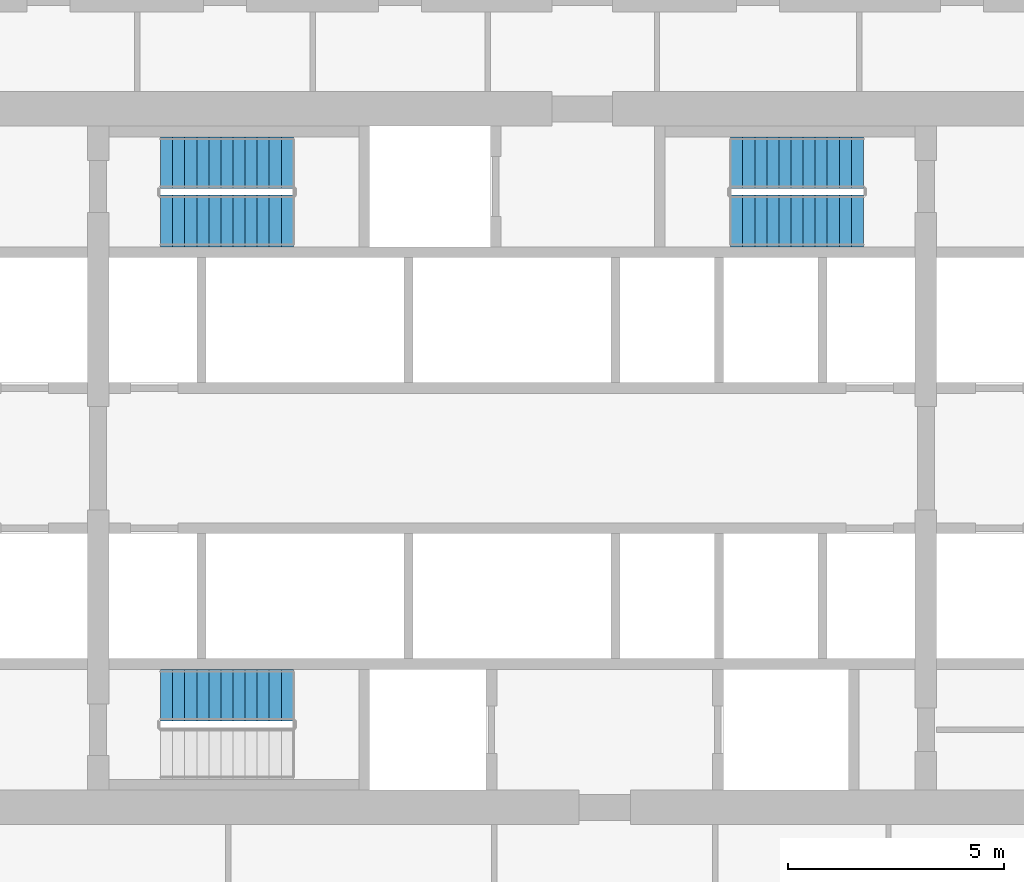
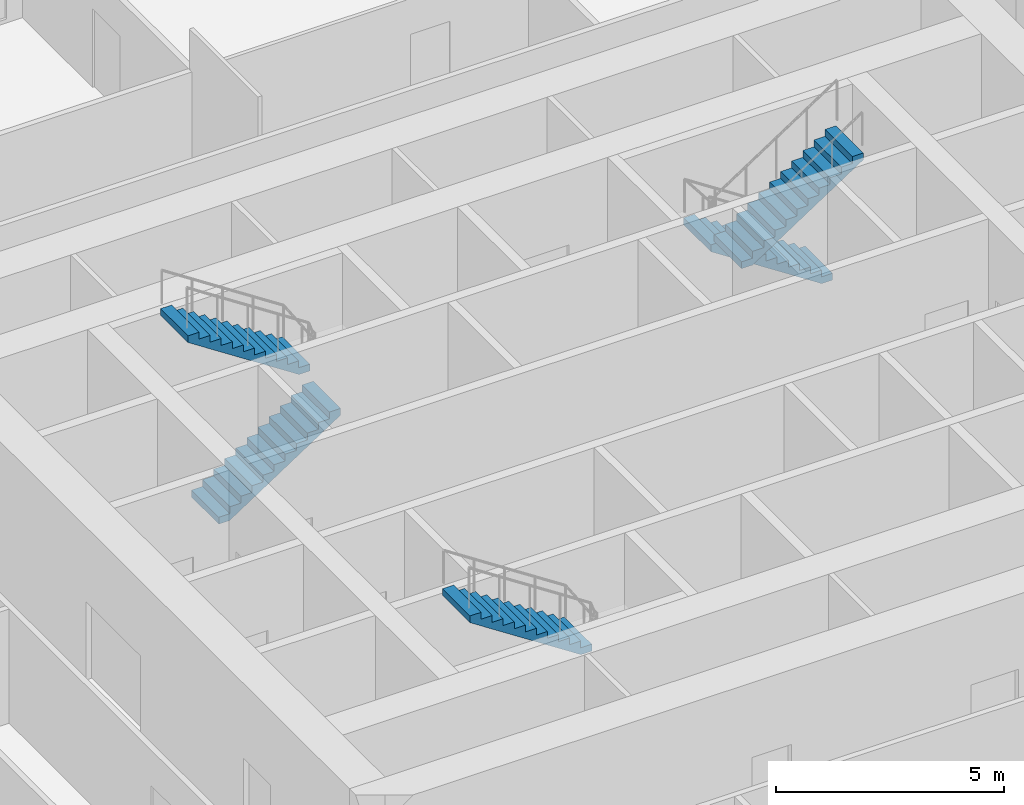
# One storey, part 9 of 13: 5 stair flights, 3 elements without a shape of their own.
"""IFC4 building model written with IfcOpenShell, lengths in metres."""

from ifc_helpers import new_model, si_unit, direction, frame, origin, place, context, subcontext, project, spatial, polyline, outline, extrude, material, layer, layer_set, type_object, element, aggregate, save


model = new_model("IFC4")

# Units and contexts
model_context = context("Model", 3, precision=1e-05, world=origin(), true_north=direction((0.0, 1.0)))
body_context = subcontext(model_context, "Body", "Model", "MODEL_VIEW")
ifc_project = project(units=[si_unit("LENGTHUNIT", "METRE"), si_unit("AREAUNIT", "SQUARE_METRE"), si_unit("VOLUMEUNIT", "CUBIC_METRE"), si_unit("PLANEANGLEUNIT", "RADIAN"), si_unit("MASSUNIT", "GRAM", prefix="KILO")], contexts=[model_context])

# Site, building, storey
site_placement = place(None, origin())
site = spatial("IfcSite", under=ifc_project, at=site_placement, CompositionType="ELEMENT")
building_placement = place(site_placement, origin())
building = spatial("IfcBuilding", under=site, at=building_placement, Name="Frailejon Research Tower", CompositionType="ELEMENT")
storey_placement = place(building_placement, frame((0.0, 0.0, 36.60009765625)))
storey = spatial("IfcBuildingStorey", under=building, at=storey_placement, Name="L08", CompositionType="ELEMENT", Elevation=36.60009765625)

# Stair, stair flights
ifc_material_1 = material(Name="Concrete C50/60", Category="concrete")
stair_type = type_object("IfcStairType", Name="Exit stair 24 risers", PredefinedType="HALF_TURN_STAIR", material=ifc_material_1)
stair_1_placement = place(storey_placement, origin())
stair_1 = element("IfcStair", 1, at=stair_1_placement, inside=storey, type_object=stair_type, Name="L08 Exit stair ST1", PredefinedType="HALF_TURN_STAIR")
ifc_material_2 = material(Name="Concrete C50/60", Category="concrete")
ifc_layer = layer(ifc_material_2, 0.14990234375)
ifc_layer_set = layer_set([ifc_layer], Name="Stair flight 12 risers")
stair_flight_type = type_object("IfcStairFlightType", Name="Stair flight 12 risers", PredefinedType="STRAIGHT", material=ifc_layer_set)
stair_flight_1_placement = place(storey_placement, frame((-8.14990234375, 5.5, 0.0), z_axis=(0.0, 0.0, 1.0), x_axis=(1.0, 0.0, 0.0)))
stair_flight_1 = element("IfcStairFlight", 2, at=stair_flight_1_placement, type_object=stair_flight_type, Name="ST1 flight 1", NumberOfRisers=12, NumberOfTreads=11, PredefinedType="STRAIGHT", RiserHeight=0.183333333, TreadLength=0.28, context=body_context, shape_type="SweptSolid", body=[
    extrude(outline(polyline([(0.0, 0.0), (0.0, 0.183349609375), (0.280029296875, 0.183349609375), (0.280029296875, 0.36669921875), (0.56005859375, 0.36669921875), (0.56005859375, 0.550048828125), (0.840087890625, 0.550048828125), (0.840087890625, 0.7333984375), (1.1201171875, 0.7333984375), (1.1201171875, 0.916748046875), (1.39990234375, 0.916748046875), (1.39990234375, 1.10009765625), (1.679931640625, 1.10009765625), (1.679931640625, 1.283447265625), (1.9599609375, 1.283447265625), (1.9599609375, 1.466552734375), (2.239990234375, 1.466552734375), (2.239990234375, 1.64990234375), (2.52001953125, 1.64990234375), (2.52001953125, 1.833251953125), (2.800048828125, 1.833251953125), (2.800048828125, 2.0166015625), (3.080078125, 2.0166015625), (3.080078125, 2.199951171875), (3.080078125, 1.83740234375), (0.273681640625, 0.0), (0.0, 0.0)])), frame((0.0, 0.60009765625, 0.0), z_axis=(0.0, -1.0, 0.0), x_axis=(1.0, 0.0, 0.0)), (0.0, 0.0, 1.0), 1.199951171875),
])
stair_flight_2_placement = place(storey_placement, frame((-5.070068359375, 6.85009765625, 2.199951171875), z_axis=(0.0, 0.0, 1.0), x_axis=(-1.0, 0.0, 0.0)))
stair_flight_2 = element("IfcStairFlight", 3, at=stair_flight_2_placement, type_object=stair_flight_type, Name="ST1 flight 2", NumberOfRisers=12, NumberOfTreads=11, PredefinedType="STRAIGHT", RiserHeight=0.183333333, TreadLength=0.28, context=body_context, shape_type="SweptSolid", body=[
    extrude(outline(polyline([(0.0, 0.0), (0.0, 0.183349609375), (0.280029296875, 0.183349609375), (0.280029296875, 0.36669921875), (0.56005859375, 0.36669921875), (0.56005859375, 0.550048828125), (0.840087890625, 0.550048828125), (0.840087890625, 0.7333984375), (1.1201171875, 0.7333984375), (1.1201171875, 0.916748046875), (1.39990234375, 0.916748046875), (1.39990234375, 1.10009765625), (1.679931640625, 1.10009765625), (1.679931640625, 1.283447265625), (1.9599609375, 1.283447265625), (1.9599609375, 1.466552734375), (2.239990234375, 1.466552734375), (2.239990234375, 1.64990234375), (2.52001953125, 1.64990234375), (2.52001953125, 1.833251953125), (2.800048828125, 1.833251953125), (2.800048828125, 2.0166015625), (3.080078125, 2.0166015625), (3.080078125, 2.199951171875), (3.080078125, 1.83740234375), (0.273681640625, 0.0), (0.0, 0.0)])), frame((0.0, 0.60009765625, 0.0), z_axis=(0.0, -1.0, 0.0), x_axis=(1.0, 0.0, 0.0)), (0.0, 0.0, 1.0), 1.199951171875),
])
aggregate(stair_1, [stair_flight_1, stair_flight_2])

# Stair, stair flight
stair_2_placement = place(storey_placement, origin())
stair_2 = element("IfcStair", 4, at=stair_2_placement, inside=storey, type_object=stair_type, Name="L08 Exit stair ST2", PredefinedType="HALF_TURN_STAIR")
stair_flight_3_placement = place(storey_placement, frame((-5.070068359375, -5.5, 2.199951171875), z_axis=(0.0, 0.0, 1.0), x_axis=(-1.0, 0.0, 0.0)))
stair_flight_3 = element("IfcStairFlight", 5, at=stair_flight_3_placement, type_object=stair_flight_type, Name="ST2 flight 2", NumberOfRisers=12, NumberOfTreads=11, PredefinedType="STRAIGHT", RiserHeight=0.183333333, TreadLength=0.28, context=body_context, shape_type="SweptSolid", body=[
    extrude(outline(polyline([(0.0, 0.0), (0.0, 0.183349609375), (0.280029296875, 0.183349609375), (0.280029296875, 0.36669921875), (0.56005859375, 0.36669921875), (0.56005859375, 0.550048828125), (0.840087890625, 0.550048828125), (0.840087890625, 0.7333984375), (1.1201171875, 0.7333984375), (1.1201171875, 0.916748046875), (1.39990234375, 0.916748046875), (1.39990234375, 1.10009765625), (1.679931640625, 1.10009765625), (1.679931640625, 1.283447265625), (1.9599609375, 1.283447265625), (1.9599609375, 1.466552734375), (2.239990234375, 1.466552734375), (2.239990234375, 1.64990234375), (2.52001953125, 1.64990234375), (2.52001953125, 1.833251953125), (2.800048828125, 1.833251953125), (2.800048828125, 2.0166015625), (3.080078125, 2.0166015625), (3.080078125, 2.199951171875), (3.080078125, 1.83740234375), (0.273681640625, 0.0), (0.0, 0.0)])), frame((0.0, 0.60009765625, 0.0), z_axis=(0.0, -1.0, 0.0), x_axis=(1.0, 0.0, 0.0)), (0.0, 0.0, 1.0), 1.199951171875),
])
aggregate(stair_2, [stair_flight_3])

# Stair, stair flights
stair_3_placement = place(storey_placement, origin())
stair_3 = element("IfcStair", 6, at=stair_3_placement, inside=storey, type_object=stair_type, Name="L08 Exit stair ST3", PredefinedType="HALF_TURN_STAIR")
stair_flight_4_placement = place(storey_placement, frame((8.14990234375, 6.85009765625, 0.0), z_axis=(0.0, 0.0, 1.0), x_axis=(-1.0, 0.0, 0.0)))
stair_flight_4 = element("IfcStairFlight", 7, at=stair_flight_4_placement, type_object=stair_flight_type, Name="ST3 flight 1", NumberOfRisers=12, NumberOfTreads=11, PredefinedType="STRAIGHT", RiserHeight=0.183333333, TreadLength=0.28, context=body_context, shape_type="SweptSolid", body=[
    extrude(outline(polyline([(0.0, 0.0), (0.0, 0.183349609375), (0.280029296875, 0.183349609375), (0.280029296875, 0.36669921875), (0.56005859375, 0.36669921875), (0.56005859375, 0.550048828125), (0.840087890625, 0.550048828125), (0.840087890625, 0.7333984375), (1.1201171875, 0.7333984375), (1.1201171875, 0.916748046875), (1.39990234375, 0.916748046875), (1.39990234375, 1.10009765625), (1.679931640625, 1.10009765625), (1.679931640625, 1.283447265625), (1.9599609375, 1.283447265625), (1.9599609375, 1.466552734375), (2.239990234375, 1.466552734375), (2.239990234375, 1.64990234375), (2.52001953125, 1.64990234375), (2.52001953125, 1.833251953125), (2.800048828125, 1.833251953125), (2.800048828125, 2.0166015625), (3.080078125, 2.0166015625), (3.080078125, 2.199951171875), (3.080078125, 1.83740234375), (0.273681640625, 0.0), (0.0, 0.0)])), frame((0.0, 0.60009765625, 0.0), z_axis=(0.0, -1.0, 0.0), x_axis=(1.0, 0.0, 0.0)), (0.0, 0.0, 1.0), 1.199951171875),
])
stair_flight_5_placement = place(storey_placement, frame((5.070068359375, 5.5, 2.199951171875), z_axis=(0.0, 0.0, 1.0), x_axis=(1.0, 0.0, 0.0)))
stair_flight_5 = element("IfcStairFlight", 8, at=stair_flight_5_placement, type_object=stair_flight_type, Name="ST3 flight 2", NumberOfRisers=12, NumberOfTreads=11, PredefinedType="STRAIGHT", RiserHeight=0.183333333, TreadLength=0.28, context=body_context, shape_type="SweptSolid", body=[
    extrude(outline(polyline([(0.0, 0.0), (0.0, 0.183349609375), (0.280029296875, 0.183349609375), (0.280029296875, 0.36669921875), (0.56005859375, 0.36669921875), (0.56005859375, 0.550048828125), (0.840087890625, 0.550048828125), (0.840087890625, 0.7333984375), (1.1201171875, 0.7333984375), (1.1201171875, 0.916748046875), (1.39990234375, 0.916748046875), (1.39990234375, 1.10009765625), (1.679931640625, 1.10009765625), (1.679931640625, 1.283447265625), (1.9599609375, 1.283447265625), (1.9599609375, 1.466552734375), (2.239990234375, 1.466552734375), (2.239990234375, 1.64990234375), (2.52001953125, 1.64990234375), (2.52001953125, 1.833251953125), (2.800048828125, 1.833251953125), (2.800048828125, 2.0166015625), (3.080078125, 2.0166015625), (3.080078125, 2.199951171875), (3.080078125, 1.83740234375), (0.273681640625, 0.0), (0.0, 0.0)])), frame((0.0, 0.60009765625, 0.0), z_axis=(0.0, -1.0, 0.0), x_axis=(1.0, 0.0, 0.0)), (0.0, 0.0, 1.0), 1.199951171875),
])
aggregate(stair_3, [stair_flight_4, stair_flight_5])

save(model, "model.ifc")
